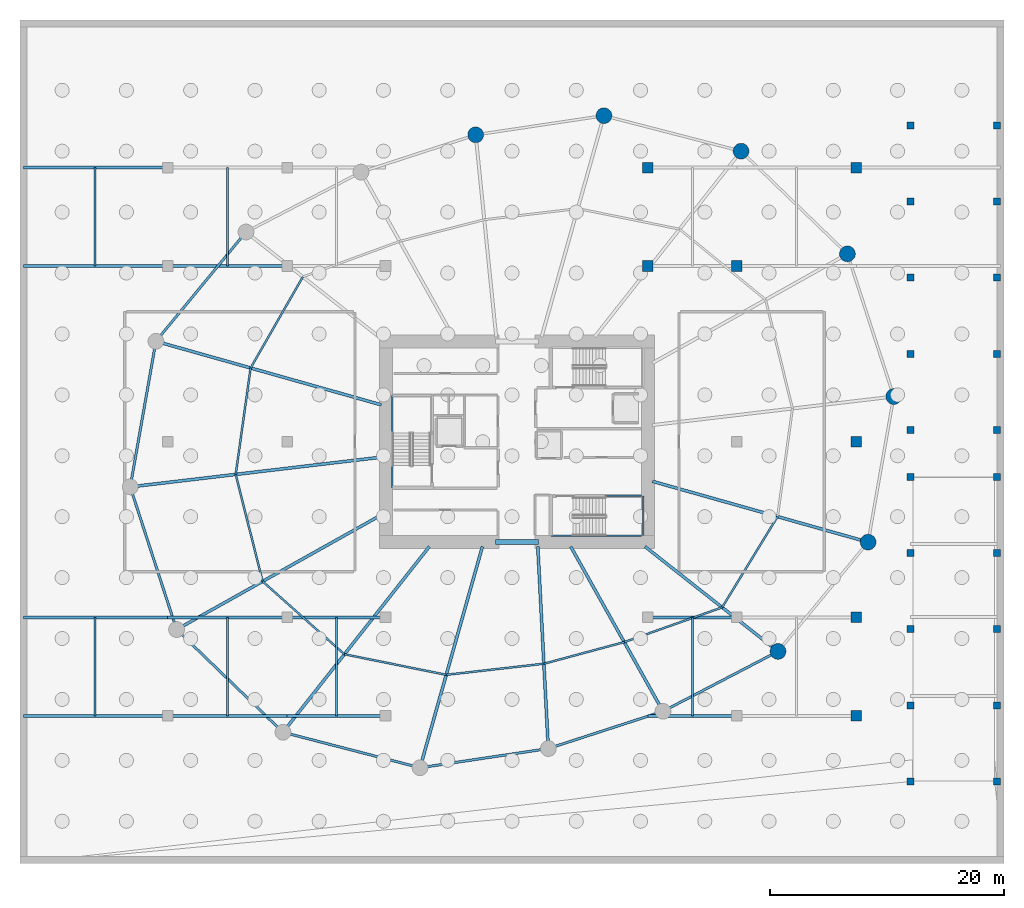
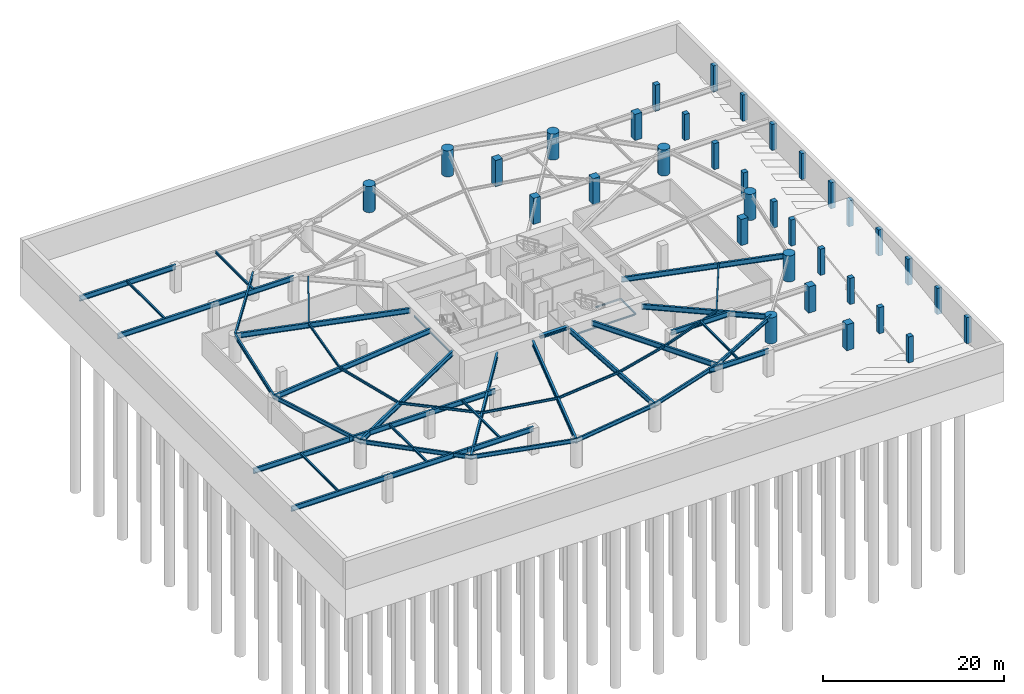
# One storey, part 5 of 12: 48 beams, 34 columns.
"""IFC4 building model written with IfcOpenShell, lengths in metres."""

from ifc_helpers import new_model, si_unit, direction, frame, origin, origin_2d, place, context, subcontext, project, spatial, rectangle, circle, i_section, extrude, material, material_profile, profile_set, type_object, element, save


model = new_model("IFC4")

# Units and contexts
model_context = context("Model", 3, precision=1e-05, world=origin(), true_north=direction((0.0, 1.0)))
body_context = subcontext(model_context, "Body", "Model", "MODEL_VIEW")
ifc_project = project(units=[si_unit("LENGTHUNIT", "METRE"), si_unit("AREAUNIT", "SQUARE_METRE"), si_unit("VOLUMEUNIT", "CUBIC_METRE"), si_unit("PLANEANGLEUNIT", "RADIAN"), si_unit("MASSUNIT", "GRAM", prefix="KILO")], contexts=[model_context])

# Site, building, storey
site_placement = place(None, origin())
site = spatial("IfcSite", under=ifc_project, at=site_placement, CompositionType="ELEMENT")
building_placement = place(site_placement, origin())
building = spatial("IfcBuilding", under=site, at=building_placement, Name="Kazma Halo Residences", CompositionType="ELEMENT")
storey_placement = place(building_placement, frame((0.0, 0.0, -7.60009765625)))
storey = spatial("IfcBuildingStorey", under=building, at=storey_placement, Name="B02", CompositionType="ELEMENT", Elevation=-7.60009765625)

# Columns
ifc_material_1 = material(Name="Concrete C60/75", Category="concrete")
ifc_material_profile_1 = material_profile(ifc_material_1, rectangle(XDim=0.89990234375, YDim=0.89990234375, at=origin_2d()), Name="RECT900x900")
ifc_profile_set_1 = profile_set([ifc_material_profile_1], Name="Concrete C60/75")
column_type_1 = type_object("IfcColumnType", Name="COL-BSMT-900", PredefinedType="COLUMN", material=ifc_profile_set_1)
for number, where, z_axis, x_axis, name in (
    (1, (59.60009765625, 57.0, 0.0), (0.0, 0.0, 1.0), (1.0, 0.0, 0.0), "B02 parking grid column 17"),
    (2, (59.60009765625, 65.39990234375, 0.0), (0.0, 0.0, 1.0), (1.0, 0.0, 0.0), "B02 parking grid column 18"),
    (3, (67.199951171875, 57.0, 0.0), (0.0, 0.0, 1.0), (1.0, 0.0, 0.0), "B02 parking grid column 22"),
    (4, (77.39990234375, 18.60009765625, 0.0), (0.0, 0.0, 1.0), (1.0, 0.0, 0.0), "B02 parking grid column 24"),
    (5, (77.39990234375, 27.0, 0.0), (0.0, 0.0, 1.0), (1.0, 0.0, 0.0), "B02 parking grid column 25"),
    (6, (77.39990234375, 42.0, 0.0), (0.0, 0.0, 1.0), (1.0, 0.0, 0.0), "B02 parking grid column 26"),
    (7, (77.39990234375, 65.39990234375, 0.0), (0.0, 0.0, 1.0), (1.0, 0.0, 0.0), "B02 parking grid column 28"),
):
    element("IfcColumn", number, at=place(storey_placement, frame(where, z_axis=z_axis, x_axis=x_axis)), inside=storey, type_object=column_type_1, Name=name, PredefinedType="COLUMN", context=body_context, shape_type="SweptSolid", body=[
        extrude(rectangle(XDim=0.89990234375, YDim=0.89990234375, at=origin_2d()), origin(), (0.0, 0.0, 1.0), 3.52001953125),
    ])
ifc_material_2 = material(Name="Concrete C80/95", Category="concrete")
ifc_material_profile_2 = material_profile(ifc_material_2, circle(Radius=0.675048828125, at=origin_2d()), Name="CIRC1350")
ifc_profile_set_2 = profile_set([ifc_material_profile_2], Name="Concrete C80/95")
column_type_2 = type_object("IfcColumnType", Name="COL-PERIM-1350", PredefinedType="COLUMN", material=ifc_profile_set_2)
for number, where, z_axis, x_axis, name in (
    (8, (76.6328125, 58.03515625, 0.0), (0.0, 0.0, 1.0), (1.0, 0.0, 0.0), "B02 perimeter ring column P01"),
    (9, (67.55322265625, 66.80322265625, 0.0), (0.0, 0.0, 1.0), (1.0, 0.0, 0.0), "B02 perimeter ring column P02"),
    (10, (55.84912109375, 69.831298828125, 0.0), (0.0, 0.0, 1.0), (1.0, 0.0, 0.0), "B02 perimeter ring column P03"),
    (11, (44.8994140625, 68.196044921875, 0.0), (0.0, 0.0, 1.0), (1.0, 0.0, 0.0), "B02 perimeter ring column P04"),
    (12, (70.708984375, 24.09765625, 0.0), (0.0, 0.0, 1.0), (1.0, 0.0, 0.0), "B02 perimeter ring column P14"),
    (13, (78.397705078125, 33.427001953125, 0.0), (0.0, 0.0, 1.0), (1.0, 0.0, 0.0), "B02 perimeter ring column P15"),
    (14, (80.589599609375, 45.857177734375, 0.0), (0.0, 0.0, 1.0), (1.0, 0.0, 0.0), "B02 perimeter ring column P16"),
):
    element("IfcColumn", number, at=place(storey_placement, frame(where, z_axis=z_axis, x_axis=x_axis)), inside=storey, type_object=column_type_2, Name=name, PredefinedType="COLUMN", context=body_context, shape_type="SweptSolid", body=[
        extrude(circle(Radius=0.675048828125, at=origin_2d()), origin(), (0.0, 0.0, 1.0), 3.52001953125),
    ])
ifc_material_profile_3 = material_profile(ifc_material_1, rectangle(XDim=0.60009765625, YDim=0.60009765625, at=origin_2d()), Name="RECT600x600")
ifc_profile_set_3 = profile_set([ifc_material_profile_3], Name="Concrete C60/75")
column_type_3 = type_object("IfcColumnType", Name="COL-POD-600", PredefinedType="COLUMN", material=ifc_profile_set_3)
for number, where, z_axis, x_axis, name in (
    (15, (82.0, 13.0, 0.0), (0.0, 0.0, 1.0), (1.0, 0.0, 0.0), "B02 vehicle ramp column 01"),
    (16, (82.0, 19.5, 0.0), (0.0, 0.0, 1.0), (1.0, 0.0, 0.0), "B02 vehicle ramp column 02"),
    (17, (82.0, 26.0, 0.0), (0.0, 0.0, 1.0), (1.0, 0.0, 0.0), "B02 vehicle ramp column 03"),
    (18, (82.0, 32.5, 0.0), (0.0, 0.0, 1.0), (1.0, 0.0, 0.0), "B02 vehicle ramp column 04"),
    (19, (82.0, 39.0, 0.0), (0.0, 0.0, 1.0), (1.0, 0.0, 0.0), "B02 vehicle ramp column 05"),
    (20, (82.0, 43.0, 0.0), (0.0, 0.0, 1.0), (1.0, 0.0, 0.0), "B02 vehicle ramp column 06"),
    (21, (82.0, 49.5, 0.0), (0.0, 0.0, 1.0), (1.0, 0.0, 0.0), "B02 vehicle ramp column 07"),
    (22, (82.0, 56.0, 0.0), (0.0, 0.0, 1.0), (1.0, 0.0, 0.0), "B02 vehicle ramp column 08"),
    (23, (82.0, 62.5, 0.0), (0.0, 0.0, 1.0), (1.0, 0.0, 0.0), "B02 vehicle ramp column 09"),
    (24, (82.0, 69.0, 0.0), (0.0, 0.0, 1.0), (1.0, 0.0, 0.0), "B02 vehicle ramp column 10"),
    (25, (89.39990234375, 13.0, 0.0), (0.0, 0.0, 1.0), (1.0, 0.0, 0.0), "B02 vehicle ramp column 11"),
    (26, (89.39990234375, 19.5, 0.0), (0.0, 0.0, 1.0), (1.0, 0.0, 0.0), "B02 vehicle ramp column 12"),
    (27, (89.39990234375, 26.0, 0.0), (0.0, 0.0, 1.0), (1.0, 0.0, 0.0), "B02 vehicle ramp column 13"),
    (28, (89.39990234375, 32.5, 0.0), (0.0, 0.0, 1.0), (1.0, 0.0, 0.0), "B02 vehicle ramp column 14"),
    (29, (89.39990234375, 39.0, 0.0), (0.0, 0.0, 1.0), (1.0, 0.0, 0.0), "B02 vehicle ramp column 15"),
    (30, (89.39990234375, 43.0, 0.0), (0.0, 0.0, 1.0), (1.0, 0.0, 0.0), "B02 vehicle ramp column 16"),
    (31, (89.39990234375, 49.5, 0.0), (0.0, 0.0, 1.0), (1.0, 0.0, 0.0), "B02 vehicle ramp column 17"),
    (32, (89.39990234375, 56.0, 0.0), (0.0, 0.0, 1.0), (1.0, 0.0, 0.0), "B02 vehicle ramp column 18"),
    (33, (89.39990234375, 62.5, 0.0), (0.0, 0.0, 1.0), (1.0, 0.0, 0.0), "B02 vehicle ramp column 19"),
    (34, (89.39990234375, 69.0, 0.0), (0.0, 0.0, 1.0), (1.0, 0.0, 0.0), "B02 vehicle ramp column 20"),
):
    element("IfcColumn", number, at=place(storey_placement, frame(where, z_axis=z_axis, x_axis=x_axis)), inside=storey, type_object=column_type_3, Name=name, PredefinedType="COLUMN", context=body_context, shape_type="SweptSolid", body=[
        extrude(rectangle(XDim=0.60009765625, YDim=0.60009765625, at=origin_2d()), origin(), (0.0, 0.0, 1.0), 3.52001953125),
    ])

# Beams
ifc_material_3 = material(Name="Steel S355", Category="steel")
ifc_material_profile_4 = material_profile(ifc_material_3, i_section(OverallWidth=0.25390625, OverallDepth=0.68408203125, WebThickness=0.012451171875, FlangeThickness=0.01904296875, FilletRadius=0.01806640625, at=origin_2d()), Name="W690x140")
ifc_profile_set_4 = profile_set([ifc_material_profile_4], Name="Steel S355")
beam_type_1 = type_object("IfcBeamType", Name="BM-BSMT-W690", PredefinedType="BEAM", material=ifc_profile_set_4)
beam_1_placement = place(storey_placement, frame((6.300048828125, 18.60009765625, 3.177978515625), z_axis=(1.0, 0.0, 0.0), x_axis=(0.0, 1.0, 0.0)))
element("IfcBeam", 35, at=beam_1_placement, inside=storey, type_object=beam_type_1, Name="B02 primary girder Y=18.6 bay 1", PredefinedType="BEAM", context=body_context, shape_type="SweptSolid", body=[
    extrude(i_section(OverallWidth=0.25390625, OverallDepth=0.68408203125, WebThickness=0.012451171875, FlangeThickness=0.01904296875, FilletRadius=0.01806640625, at=origin_2d()), origin(), (0.0, 0.0, 1.0), 12.300048828125),
])
beam_2_placement = place(storey_placement, frame((18.60009765625, 18.60009765625, 3.177978515625), z_axis=(1.0, 0.0, 0.0), x_axis=(0.0, 1.0, 0.0)))
element("IfcBeam", 36, at=beam_2_placement, inside=storey, type_object=beam_type_1, Name="B02 primary girder Y=18.6 bay 2", PredefinedType="BEAM", context=body_context, shape_type="SweptSolid", body=[
    extrude(i_section(OverallWidth=0.25390625, OverallDepth=0.68408203125, WebThickness=0.012451171875, FlangeThickness=0.01904296875, FilletRadius=0.01806640625, at=origin_2d()), origin(), (0.0, 0.0, 1.0), 10.199951171875),
])
beam_3_placement = place(storey_placement, frame((28.800048828125, 18.60009765625, 3.177978515625), z_axis=(1.0, 0.0, 0.0), x_axis=(0.0, 1.0, 0.0)))
element("IfcBeam", 37, at=beam_3_placement, inside=storey, type_object=beam_type_1, Name="B02 primary girder Y=18.6 bay 3", PredefinedType="BEAM", context=body_context, shape_type="SweptSolid", body=[
    extrude(i_section(OverallWidth=0.25390625, OverallDepth=0.68408203125, WebThickness=0.012451171875, FlangeThickness=0.01904296875, FilletRadius=0.01806640625, at=origin_2d()), origin(), (0.0, 0.0, 1.0), 8.39990234375),
])
beam_4_placement = place(storey_placement, frame((59.60009765625, 18.60009765625, 3.177978515625), z_axis=(1.0, 0.0, 0.0), x_axis=(0.0, 1.0, 0.0)))
element("IfcBeam", 38, at=beam_4_placement, inside=storey, type_object=beam_type_1, Name="B02 primary girder Y=18.6 bay 4", PredefinedType="BEAM", context=body_context, shape_type="SweptSolid", body=[
    extrude(i_section(OverallWidth=0.25390625, OverallDepth=0.68408203125, WebThickness=0.012451171875, FlangeThickness=0.01904296875, FilletRadius=0.01806640625, at=origin_2d()), origin(), (0.0, 0.0, 1.0), 7.599853515625),
])
beam_5_placement = place(storey_placement, frame((6.300048828125, 27.0, 3.177978515625), z_axis=(1.0, 0.0, 0.0), x_axis=(0.0, 1.0, 0.0)))
element("IfcBeam", 39, at=beam_5_placement, inside=storey, type_object=beam_type_1, Name="B02 primary girder Y=27.0 bay 1", PredefinedType="BEAM", context=body_context, shape_type="SweptSolid", body=[
    extrude(i_section(OverallWidth=0.25390625, OverallDepth=0.68408203125, WebThickness=0.012451171875, FlangeThickness=0.01904296875, FilletRadius=0.01806640625, at=origin_2d()), origin(), (0.0, 0.0, 1.0), 12.300048828125),
])
beam_6_placement = place(storey_placement, frame((18.60009765625, 27.0, 3.177978515625), z_axis=(1.0, 0.0, 0.0), x_axis=(0.0, 1.0, 0.0)))
element("IfcBeam", 40, at=beam_6_placement, inside=storey, type_object=beam_type_1, Name="B02 primary girder Y=27.0 bay 2", PredefinedType="BEAM", context=body_context, shape_type="SweptSolid", body=[
    extrude(i_section(OverallWidth=0.25390625, OverallDepth=0.68408203125, WebThickness=0.012451171875, FlangeThickness=0.01904296875, FilletRadius=0.01806640625, at=origin_2d()), origin(), (0.0, 0.0, 1.0), 10.199951171875),
])
beam_7_placement = place(storey_placement, frame((28.800048828125, 27.0, 3.177978515625), z_axis=(1.0, 0.0, 0.0), x_axis=(0.0, 1.0, 0.0)))
element("IfcBeam", 41, at=beam_7_placement, inside=storey, type_object=beam_type_1, Name="B02 primary girder Y=27.0 bay 3", PredefinedType="BEAM", context=body_context, shape_type="SweptSolid", body=[
    extrude(i_section(OverallWidth=0.25390625, OverallDepth=0.68408203125, WebThickness=0.012451171875, FlangeThickness=0.01904296875, FilletRadius=0.01806640625, at=origin_2d()), origin(), (0.0, 0.0, 1.0), 8.39990234375),
])
beam_8_placement = place(storey_placement, frame((59.60009765625, 27.0, 3.177978515625), z_axis=(1.0, 0.0, 0.0), x_axis=(0.0, 1.0, 0.0)))
element("IfcBeam", 42, at=beam_8_placement, inside=storey, type_object=beam_type_1, Name="B02 primary girder Y=27.0 bay 4", PredefinedType="BEAM", context=body_context, shape_type="SweptSolid", body=[
    extrude(i_section(OverallWidth=0.25390625, OverallDepth=0.68408203125, WebThickness=0.012451171875, FlangeThickness=0.01904296875, FilletRadius=0.01806640625, at=origin_2d()), origin(), (0.0, 0.0, 1.0), 7.599853515625),
])
beam_9_placement = place(storey_placement, frame((6.300048828125, 57.0, 3.177978515625), z_axis=(1.0, 0.0, 0.0), x_axis=(0.0, 1.0, 0.0)))
element("IfcBeam", 43, at=beam_9_placement, inside=storey, type_object=beam_type_1, Name="B02 primary girder Y=57.0 bay 1", PredefinedType="BEAM", context=body_context, shape_type="SweptSolid", body=[
    extrude(i_section(OverallWidth=0.25390625, OverallDepth=0.68408203125, WebThickness=0.012451171875, FlangeThickness=0.01904296875, FilletRadius=0.01806640625, at=origin_2d()), origin(), (0.0, 0.0, 1.0), 12.300048828125),
])
beam_10_placement = place(storey_placement, frame((18.60009765625, 57.0, 3.177978515625), z_axis=(1.0, 0.0, 0.0), x_axis=(0.0, 1.0, 0.0)))
element("IfcBeam", 44, at=beam_10_placement, inside=storey, type_object=beam_type_1, Name="B02 primary girder Y=57.0 bay 2", PredefinedType="BEAM", context=body_context, shape_type="SweptSolid", body=[
    extrude(i_section(OverallWidth=0.25390625, OverallDepth=0.68408203125, WebThickness=0.012451171875, FlangeThickness=0.01904296875, FilletRadius=0.01806640625, at=origin_2d()), origin(), (0.0, 0.0, 1.0), 10.199951171875),
])
beam_11_placement = place(storey_placement, frame((6.300048828125, 65.39990234375, 3.177978515625), z_axis=(1.0, 0.0, 0.0), x_axis=(0.0, 1.0, 0.0)))
element("IfcBeam", 45, at=beam_11_placement, inside=storey, type_object=beam_type_1, Name="B02 primary girder Y=65.4 bay 1", PredefinedType="BEAM", context=body_context, shape_type="SweptSolid", body=[
    extrude(i_section(OverallWidth=0.25390625, OverallDepth=0.68408203125, WebThickness=0.012451171875, FlangeThickness=0.01904296875, FilletRadius=0.01806640625, at=origin_2d()), origin(), (0.0, 0.0, 1.0), 12.300048828125),
])
beam_12_placement = place(storey_placement, frame((36.85009765625, 45.14453125, 3.177978515625), z_axis=(-0.962454909869, 0.271441607845, 0.0), x_axis=(-0.271441607845, -0.962454909869, 0.0)))
element("IfcBeam", 46, at=beam_12_placement, inside=storey, type_object=beam_type_1, Name="B02 radial floor beam 07", PredefinedType="BEAM", context=body_context, shape_type="SweptSolid", body=[
    extrude(i_section(OverallWidth=0.25390625, OverallDepth=0.68408203125, WebThickness=0.012451171875, FlangeThickness=0.01904296875, FilletRadius=0.01806640625, at=origin_2d()), origin(), (0.0, 0.0, 1.0), 19.99853515625),
])
beam_13_placement = place(storey_placement, frame((36.85009765625, 40.680419921875, 3.177978515625), z_axis=(-0.993068228459, -0.117539327996, 0.0), x_axis=(0.117539327996, -0.993068228459, 0.0)))
element("IfcBeam", 47, at=beam_13_placement, inside=storey, type_object=beam_type_1, Name="B02 radial floor beam 08", PredefinedType="BEAM", context=body_context, shape_type="SweptSolid", body=[
    extrude(i_section(OverallWidth=0.25390625, OverallDepth=0.68408203125, WebThickness=0.012451171875, FlangeThickness=0.01904296875, FilletRadius=0.01806640625, at=origin_2d()), origin(), (0.0, 0.0, 1.0), 21.58935546875),
])
beam_14_placement = place(storey_placement, frame((36.85009765625, 35.755615234375, 3.177978515625), z_axis=(-0.872498744017, -0.488616354299, 0.0), x_axis=(0.488616354299, -0.872498744017, 0.0)))
element("IfcBeam", 48, at=beam_14_placement, inside=storey, type_object=beam_type_1, Name="B02 radial floor beam 09", PredefinedType="BEAM", context=body_context, shape_type="SweptSolid", body=[
    extrude(i_section(OverallWidth=0.25390625, OverallDepth=0.68408203125, WebThickness=0.012451171875, FlangeThickness=0.01904296875, FilletRadius=0.01806640625, at=origin_2d()), origin(), (0.0, 0.0, 1.0), 20.037841796875),
])
beam_15_placement = place(storey_placement, frame((40.9443359375, 33.050048828125, 3.177978515625), z_axis=(-0.619089277374, -0.785320613915, 0.0), x_axis=(0.785320613915, -0.619089277374, 0.0)))
element("IfcBeam", 49, at=beam_15_placement, inside=storey, type_object=beam_type_1, Name="B02 radial floor beam 10", PredefinedType="BEAM", context=body_context, shape_type="SweptSolid", body=[
    extrude(i_section(OverallWidth=0.25390625, OverallDepth=0.68408203125, WebThickness=0.012451171875, FlangeThickness=0.01904296875, FilletRadius=0.01806640625, at=origin_2d()), origin(), (0.0, 0.0, 1.0), 20.18701171875),
])
beam_16_placement = place(storey_placement, frame((45.475830078125, 33.050048828125, 3.177978515625), z_axis=(-0.271433858007, -0.962457095526, 0.0), x_axis=(0.962457095526, -0.271433858007, 0.0)))
element("IfcBeam", 50, at=beam_16_placement, inside=storey, type_object=beam_type_1, Name="B02 radial floor beam 11", PredefinedType="BEAM", context=body_context, shape_type="SweptSolid", body=[
    extrude(i_section(OverallWidth=0.25390625, OverallDepth=0.68408203125, WebThickness=0.012451171875, FlangeThickness=0.01904296875, FilletRadius=0.01806640625, at=origin_2d()), origin(), (0.0, 0.0, 1.0), 19.617919921875),
])
beam_17_placement = place(storey_placement, frame((50.199951171875, 33.050048828125, 3.177978515625), z_axis=(0.052151471652, -0.998639186095, 0.0), x_axis=(0.998639186095, 0.052151471652, 0.0)))
element("IfcBeam", 51, at=beam_17_placement, inside=storey, type_object=beam_type_1, Name="B02 radial floor beam 12", PredefinedType="BEAM", context=body_context, shape_type="SweptSolid", body=[
    extrude(i_section(OverallWidth=0.25390625, OverallDepth=0.68408203125, WebThickness=0.012451171875, FlangeThickness=0.01904296875, FilletRadius=0.01806640625, at=origin_2d()), origin(), (0.0, 0.0, 1.0), 17.26953125),
])
beam_18_placement = place(storey_placement, frame((53.01220703125, 33.050048828125, 3.177978515625), z_axis=(0.488623198121, -0.872494911308, 0.0), x_axis=(0.872494911308, 0.488623198121, 0.0)))
element("IfcBeam", 52, at=beam_18_placement, inside=storey, type_object=beam_type_1, Name="B02 radial floor beam 13", PredefinedType="BEAM", context=body_context, shape_type="SweptSolid", body=[
    extrude(i_section(OverallWidth=0.25390625, OverallDepth=0.68408203125, WebThickness=0.012451171875, FlangeThickness=0.01904296875, FilletRadius=0.01806640625, at=origin_2d()), origin(), (0.0, 0.0, 1.0), 16.12109375),
])
beam_19_placement = place(storey_placement, frame((59.35302734375, 33.050048828125, 3.177978515625), z_axis=(0.785314311706, -0.619097271702, 0.0), x_axis=(0.619097271702, 0.785314311706, 0.0)))
element("IfcBeam", 53, at=beam_19_placement, inside=storey, type_object=beam_type_1, Name="B02 radial floor beam 14", PredefinedType="BEAM", context=body_context, shape_type="SweptSolid", body=[
    extrude(i_section(OverallWidth=0.25390625, OverallDepth=0.68408203125, WebThickness=0.012451171875, FlangeThickness=0.01904296875, FilletRadius=0.01806640625, at=origin_2d()), origin(), (0.0, 0.0, 1.0), 14.46044921875),
])
beam_20_placement = place(storey_placement, frame((60.0, 38.615478515625, 3.177978515625), z_axis=(0.962458146095, -0.271430132845, 0.0), x_axis=(0.271430132845, 0.962458146095, 0.0)))
element("IfcBeam", 54, at=beam_20_placement, inside=storey, type_object=beam_type_1, Name="B02 radial floor beam 15", PredefinedType="BEAM", context=body_context, shape_type="SweptSolid", body=[
    extrude(i_section(OverallWidth=0.25390625, OverallDepth=0.68408203125, WebThickness=0.012451171875, FlangeThickness=0.01904296875, FilletRadius=0.01806640625, at=origin_2d()), origin(), (0.0, 0.0, 1.0), 19.115234375),
])
ifc_material_profile_5 = material_profile(ifc_material_3, i_section(OverallWidth=0.408935546875, OverallDepth=0.425048828125, WebThickness=0.03271484375, FlangeThickness=0.052490234375, FilletRadius=0.02001953125, at=origin_2d()), Name="W360x421")
ifc_profile_set_5 = profile_set([ifc_material_profile_5], Name="Steel S355")
beam_type_2 = type_object("IfcBeamType", Name="BM-CORE-W360H", PredefinedType="BEAM", material=ifc_profile_set_5)
beam_21_placement = place(storey_placement, frame((46.60009765625, 33.449951171875, 3.3076171875), z_axis=(1.0, 0.0, 0.0), x_axis=(0.0, 1.0, 0.0)))
element("IfcBeam", 55, at=beam_21_placement, inside=storey, type_object=beam_type_2, Name="B02 core coupling beam S", PredefinedType="BEAM", context=body_context, shape_type="SweptSolid", body=[
    extrude(i_section(OverallWidth=0.408935546875, OverallDepth=0.425048828125, WebThickness=0.03271484375, FlangeThickness=0.052490234375, FilletRadius=0.02001953125, at=origin_2d()), origin(), (0.0, 0.0, 1.0), 3.64990234375),
])
ifc_material_profile_6 = material_profile(ifc_material_3, i_section(OverallWidth=0.1650390625, OverallDepth=0.31005859375, WebThickness=0.005859375, FlangeThickness=0.009765625, FilletRadius=0.011962890625, at=origin_2d()), Name="W310x38.7")
ifc_profile_set_6 = profile_set([ifc_material_profile_6], Name="Steel S355")
beam_type_3 = type_object("IfcBeamType", Name="BM-SEC-W310B", PredefinedType="JOIST", material=ifc_profile_set_6)
for number, where, z_axis, x_axis, name in (
    (56, (12.39990234375, 18.60009765625, 3.364990234375), (0.0, 1.0, 0.0), (-1.0, 0.0, 0.0), "B02 south secondary joist 1"),
    (57, (12.39990234375, 57.0, 3.364990234375), (0.0, 1.0, 0.0), (-1.0, 0.0, 0.0), "B02 north secondary joist 1"),
    (58, (23.699951171875, 18.60009765625, 3.364990234375), (0.0, 1.0, 0.0), (-1.0, 0.0, 0.0), "B02 south secondary joist 2"),
    (59, (23.699951171875, 57.0, 3.364990234375), (0.0, 1.0, 0.0), (-1.0, 0.0, 0.0), "B02 north secondary joist 2"),
    (60, (33.0, 18.60009765625, 3.364990234375), (0.0, 1.0, 0.0), (-1.0, 0.0, 0.0), "B02 south secondary joist 3"),
    (61, (63.39990234375, 18.60009765625, 3.364990234375), (0.0, 1.0, 0.0), (-1.0, 0.0, 0.0), "B02 south secondary joist 4"),
):
    element("IfcBeam", number, at=place(storey_placement, frame(where, z_axis=z_axis, x_axis=x_axis)), inside=storey, type_object=beam_type_3, Name=name, PredefinedType="JOIST", context=body_context, shape_type="SweptSolid", body=[
        extrude(i_section(OverallWidth=0.1650390625, OverallDepth=0.31005859375, WebThickness=0.005859375, FlangeThickness=0.009765625, FilletRadius=0.011962890625, at=origin_2d()), origin(), (0.0, 0.0, 1.0), 8.39990234375),
    ])
beam_22_placement = place(storey_placement, frame((30.145751953125, 56.0751953125, 3.364990234375), z_axis=(-0.497199727341, -0.867636116775, 0.0), x_axis=(0.867636116775, -0.497199727341, 0.0)))
element("IfcBeam", 62, at=beam_22_placement, inside=storey, type_object=beam_type_3, Name="B02 circumferential floor joist 06", PredefinedType="JOIST", context=body_context, shape_type="SweptSolid", body=[
    extrude(i_section(OverallWidth=0.1650390625, OverallDepth=0.31005859375, WebThickness=0.005859375, FlangeThickness=0.009765625, FilletRadius=0.011962890625, at=origin_2d()), origin(), (0.0, 0.0, 1.0), 8.96923828125),
])
beam_23_placement = place(storey_placement, frame((25.686279296875, 48.293212890625, 3.364990234375), z_axis=(-0.138581542975, -0.99035102663, 0.0), x_axis=(0.99035102663, -0.138581542975, 0.0)))
element("IfcBeam", 63, at=beam_23_placement, inside=storey, type_object=beam_type_3, Name="B02 circumferential floor joist 07", PredefinedType="JOIST", context=body_context, shape_type="SweptSolid", body=[
    extrude(i_section(OverallWidth=0.1650390625, OverallDepth=0.31005859375, WebThickness=0.005859375, FlangeThickness=0.009765625, FilletRadius=0.011962890625, at=origin_2d()), origin(), (0.0, 0.0, 1.0), 9.17333984375),
])
beam_24_placement = place(storey_placement, frame((24.4150390625, 39.20849609375, 3.364990234375), z_axis=(0.243737347729, -0.969841278417, 0.0), x_axis=(0.969841278417, 0.243737347729, 0.0)))
element("IfcBeam", 64, at=beam_24_placement, inside=storey, type_object=beam_type_3, Name="B02 circumferential floor joist 08", PredefinedType="JOIST", context=body_context, shape_type="SweptSolid", body=[
    extrude(i_section(OverallWidth=0.1650390625, OverallDepth=0.31005859375, WebThickness=0.005859375, FlangeThickness=0.009765625, FilletRadius=0.011962890625, at=origin_2d()), origin(), (0.0, 0.0, 1.0), 9.41552734375),
])
beam_25_placement = place(storey_placement, frame((26.7099609375, 30.076904296875, 3.364990234375), z_axis=(0.74675669848, -0.665097311133, 0.0), x_axis=(0.665097311133, 0.74675669848, 0.0)))
element("IfcBeam", 65, at=beam_25_placement, inside=storey, type_object=beam_type_3, Name="B02 circumferential floor joist 09", PredefinedType="JOIST", context=body_context, shape_type="SweptSolid", body=[
    extrude(i_section(OverallWidth=0.1650390625, OverallDepth=0.31005859375, WebThickness=0.005859375, FlangeThickness=0.009765625, FilletRadius=0.011962890625, at=origin_2d()), origin(), (0.0, 0.0, 1.0), 9.35498046875),
])
beam_26_placement = place(storey_placement, frame((33.69580078125, 23.85498046875, 3.364990234375), z_axis=(0.980192243317, -0.198048393432, 0.0), x_axis=(0.198048393432, 0.980192243317, 0.0)))
element("IfcBeam", 66, at=beam_26_placement, inside=storey, type_object=beam_type_3, Name="B02 circumferential floor joist 10", PredefinedType="JOIST", context=body_context, shape_type="SweptSolid", body=[
    extrude(i_section(OverallWidth=0.1650390625, OverallDepth=0.31005859375, WebThickness=0.005859375, FlangeThickness=0.009765625, FilletRadius=0.011962890625, at=origin_2d()), origin(), (0.0, 0.0, 1.0), 8.866943359375),
])
beam_27_placement = place(storey_placement, frame((42.38720703125, 22.098876953125, 3.364990234375), z_axis=(0.993587805197, 0.113063138842, 0.0), x_axis=(-0.113063138842, 0.993587805197, 0.0)))
element("IfcBeam", 67, at=beam_27_placement, inside=storey, type_object=beam_type_3, Name="B02 circumferential floor joist 11", PredefinedType="JOIST", context=body_context, shape_type="SweptSolid", body=[
    extrude(i_section(OverallWidth=0.1650390625, OverallDepth=0.31005859375, WebThickness=0.005859375, FlangeThickness=0.009765625, FilletRadius=0.011962890625, at=origin_2d()), origin(), (0.0, 0.0, 1.0), 8.388916015625),
])
beam_28_placement = place(storey_placement, frame((50.722412109375, 23.04736328125, 3.364990234375), z_axis=(0.965678128269, 0.259741703588, 0.0), x_axis=(-0.259741703588, 0.965678128269, 0.0)))
element("IfcBeam", 68, at=beam_28_placement, inside=storey, type_object=beam_type_3, Name="B02 circumferential floor joist 12", PredefinedType="JOIST", context=body_context, shape_type="SweptSolid", body=[
    extrude(i_section(OverallWidth=0.1650390625, OverallDepth=0.31005859375, WebThickness=0.005859375, FlangeThickness=0.009765625, FilletRadius=0.011962890625, at=origin_2d()), origin(), (0.0, 0.0, 1.0), 7.10205078125),
])
beam_29_placement = place(storey_placement, frame((57.580810546875, 24.89208984375, 3.364990234375), z_axis=(0.942441737122, 0.334370411567, 0.0), x_axis=(-0.334370411567, 0.942441737122, 0.0)))
element("IfcBeam", 69, at=beam_29_placement, inside=storey, type_object=beam_type_3, Name="B02 circumferential floor joist 13", PredefinedType="JOIST", context=body_context, shape_type="SweptSolid", body=[
    extrude(i_section(OverallWidth=0.1650390625, OverallDepth=0.31005859375, WebThickness=0.005859375, FlangeThickness=0.009765625, FilletRadius=0.011962890625, at=origin_2d()), origin(), (0.0, 0.0, 1.0), 8.869140625),
])
beam_30_placement = place(storey_placement, frame((65.939453125, 27.857666015625, 3.364990234375), z_axis=(0.521128000965, 0.853478533187, 0.0), x_axis=(-0.853478533187, 0.521128000965, 0.0)))
element("IfcBeam", 70, at=beam_30_placement, inside=storey, type_object=beam_type_3, Name="B02 circumferential floor joist 14", PredefinedType="JOIST", context=body_context, shape_type="SweptSolid", body=[
    extrude(i_section(OverallWidth=0.1650390625, OverallDepth=0.31005859375, WebThickness=0.005859375, FlangeThickness=0.009765625, FilletRadius=0.011962890625, at=origin_2d()), origin(), (0.0, 0.0, 1.0), 9.078857421875),
])
ifc_material_profile_7 = material_profile(ifc_material_3, i_section(OverallWidth=0.208984375, OverallDepth=0.532958984375, WebThickness=0.01025390625, FlangeThickness=0.015625, FilletRadius=0.01611328125, at=origin_2d()), Name="W530x92")
ifc_profile_set_7 = profile_set([ifc_material_profile_7], Name="Steel S355")
beam_type_4 = type_object("IfcBeamType", Name="BM-SPN-W530", PredefinedType="BEAM", material=ifc_profile_set_7)
beam_31_placement = place(storey_placement, frame((25.291015625, 59.90234375, 3.253662109375), z_axis=(-0.635989643733, -0.771697591718, 0.0), x_axis=(0.771697591718, -0.635989643733, 0.0)))
element("IfcBeam", 71, at=beam_31_placement, inside=storey, type_object=beam_type_4, Name="B02 perimeter ring beam 06", PredefinedType="BEAM", context=body_context, shape_type="SweptSolid", body=[
    extrude(i_section(OverallWidth=0.208984375, OverallDepth=0.532958984375, WebThickness=0.01025390625, FlangeThickness=0.015625, FilletRadius=0.01611328125, at=origin_2d()), origin(), (0.0, 0.0, 1.0), 12.08935546875),
])
beam_32_placement = place(storey_placement, frame((17.602294921875, 50.572998046875, 3.253662109375), z_axis=(-0.173657334149, -0.984806138434, 0.0), x_axis=(0.984806138434, -0.173657334149, 0.0)))
element("IfcBeam", 72, at=beam_32_placement, inside=storey, type_object=beam_type_4, Name="B02 perimeter ring beam 07", PredefinedType="BEAM", context=body_context, shape_type="SweptSolid", body=[
    extrude(i_section(OverallWidth=0.208984375, OverallDepth=0.532958984375, WebThickness=0.01025390625, FlangeThickness=0.015625, FilletRadius=0.01611328125, at=origin_2d()), origin(), (0.0, 0.0, 1.0), 12.6220703125),
])
beam_33_placement = place(storey_placement, frame((15.410400390625, 38.142822265625, 3.253662109375), z_axis=(0.3090114866, -0.951058305862, 0.0), x_axis=(0.951058305862, 0.3090114866, 0.0)))
element("IfcBeam", 73, at=beam_33_placement, inside=storey, type_object=beam_type_4, Name="B02 perimeter ring beam 08", PredefinedType="BEAM", context=body_context, shape_type="SweptSolid", body=[
    extrude(i_section(OverallWidth=0.208984375, OverallDepth=0.532958984375, WebThickness=0.01025390625, FlangeThickness=0.015625, FilletRadius=0.01611328125, at=origin_2d()), origin(), (0.0, 0.0, 1.0), 12.8046875),
])
beam_34_placement = place(storey_placement, frame((19.3671875, 25.96484375, 3.253662109375), z_axis=(0.719339467226, -0.694658715407, 0.0), x_axis=(0.694658715407, 0.719339467226, 0.0)))
element("IfcBeam", 74, at=beam_34_placement, inside=storey, type_object=beam_type_4, Name="B02 perimeter ring beam 09", PredefinedType="BEAM", context=body_context, shape_type="SweptSolid", body=[
    extrude(i_section(OverallWidth=0.208984375, OverallDepth=0.532958984375, WebThickness=0.01025390625, FlangeThickness=0.015625, FilletRadius=0.01611328125, at=origin_2d()), origin(), (0.0, 0.0, 1.0), 12.6220703125),
])
beam_35_placement = place(storey_placement, frame((28.44677734375, 17.19677734375, 3.253662109375), z_axis=(0.968123781445, -0.250472241578, 0.0), x_axis=(0.250472241578, 0.968123781445, 0.0)))
element("IfcBeam", 75, at=beam_35_placement, inside=storey, type_object=beam_type_4, Name="B02 perimeter ring beam 10", PredefinedType="BEAM", context=body_context, shape_type="SweptSolid", body=[
    extrude(i_section(OverallWidth=0.208984375, OverallDepth=0.532958984375, WebThickness=0.01025390625, FlangeThickness=0.015625, FilletRadius=0.01611328125, at=origin_2d()), origin(), (0.0, 0.0, 1.0), 12.08935546875),
])
beam_36_placement = place(storey_placement, frame((40.15087890625, 14.168701171875, 3.253662109375), z_axis=(0.989031581018, 0.14770420356, 0.0), x_axis=(-0.14770420356, 0.989031581018, 0.0)))
element("IfcBeam", 76, at=beam_36_placement, inside=storey, type_object=beam_type_4, Name="B02 perimeter ring beam 11", PredefinedType="BEAM", context=body_context, shape_type="SweptSolid", body=[
    extrude(i_section(OverallWidth=0.208984375, OverallDepth=0.532958984375, WebThickness=0.01025390625, FlangeThickness=0.015625, FilletRadius=0.01611328125, at=origin_2d()), origin(), (0.0, 0.0, 1.0), 11.071044921875),
])
beam_37_placement = place(storey_placement, frame((51.1005859375, 15.803955078125, 3.253662109375), z_axis=(0.951061083857, 0.309002936511, 0.0), x_axis=(-0.309002936511, 0.951061083857, 0.0)))
element("IfcBeam", 77, at=beam_37_placement, inside=storey, type_object=beam_type_4, Name="B02 perimeter ring beam 12", PredefinedType="BEAM", context=body_context, shape_type="SweptSolid", body=[
    extrude(i_section(OverallWidth=0.208984375, OverallDepth=0.532958984375, WebThickness=0.01025390625, FlangeThickness=0.015625, FilletRadius=0.01611328125, at=origin_2d()), origin(), (0.0, 0.0, 1.0), 10.29248046875),
])
beam_38_placement = place(storey_placement, frame((60.889404296875, 18.984375, 3.253662109375), z_axis=(0.886954171981, 0.461857442082, 0.0), x_axis=(-0.461857442082, 0.886954171981, 0.0)))
element("IfcBeam", 78, at=beam_38_placement, inside=storey, type_object=beam_type_4, Name="B02 perimeter ring beam 13", PredefinedType="BEAM", context=body_context, shape_type="SweptSolid", body=[
    extrude(i_section(OverallWidth=0.208984375, OverallDepth=0.532958984375, WebThickness=0.01025390625, FlangeThickness=0.015625, FilletRadius=0.01611328125, at=origin_2d()), origin(), (0.0, 0.0, 1.0), 11.071044921875),
])
ifc_material_profile_8 = material_profile(ifc_material_3, i_section(OverallWidth=0.133056640625, OverallDepth=0.20703125, WebThickness=0.005859375, FlangeThickness=0.00830078125, FilletRadius=0.010009765625, at=origin_2d()), Name="W200x26.6")
ifc_profile_set_8 = profile_set([ifc_material_profile_8], Name="Steel S355")
beam_type_5 = type_object("IfcBeamType", Name="BM-TRIM-W200", PredefinedType="BEAM", material=ifc_profile_set_8)
beam_39_placement = place(storey_placement, frame((37.780029296875, 38.06005859375, 1.59521484375), z_axis=(0.0, 1.0, 0.0), x_axis=(-1.0, 0.0, 0.0)))
element("IfcBeam", 79, at=beam_39_placement, inside=storey, type_object=beam_type_5, Name="B02 ST-01 landing west wall ledger", PredefinedType="BEAM", context=body_context, shape_type="SweptSolid", body=[
    extrude(i_section(OverallWidth=0.133056640625, OverallDepth=0.20703125, WebThickness=0.005859375, FlangeThickness=0.00830078125, FilletRadius=0.010009765625, at=origin_2d()), origin(), (0.0, 0.0, 1.0), 7.8798828125),
])
beam_40_placement = place(storey_placement, frame((51.31005859375, 33.97998046875, 1.59521484375), z_axis=(1.0, 0.0, 0.0), x_axis=(0.0, 1.0, 0.0)))
element("IfcBeam", 80, at=beam_40_placement, inside=storey, type_object=beam_type_5, Name="B02 ST-03 landing south wall ledger", PredefinedType="BEAM", context=body_context, shape_type="SweptSolid", body=[
    extrude(i_section(OverallWidth=0.133056640625, OverallDepth=0.20703125, WebThickness=0.005859375, FlangeThickness=0.00830078125, FilletRadius=0.010009765625, at=origin_2d()), origin(), (0.0, 0.0, 1.0), 7.760009765625),
])
beam_41_placement = place(storey_placement, frame((56.0, 37.3798828125, 1.59521484375), z_axis=(1.0, 0.0, 0.0), x_axis=(0.0, 1.0, 0.0)))
element("IfcBeam", 81, at=beam_41_placement, inside=storey, type_object=beam_type_5, Name="B02 ST-03 landing north wall ledger", PredefinedType="BEAM", context=body_context, shape_type="SweptSolid", body=[
    extrude(i_section(OverallWidth=0.133056640625, OverallDepth=0.20703125, WebThickness=0.005859375, FlangeThickness=0.00830078125, FilletRadius=0.010009765625, at=origin_2d()), origin(), (0.0, 0.0, 1.0), 3.070068359375),
])
beam_42_placement = place(storey_placement, frame((59.18994140625, 33.97998046875, 1.59521484375), z_axis=(0.0, 1.0, 0.0), x_axis=(-1.0, 0.0, 0.0)))
element("IfcBeam", 82, at=beam_42_placement, inside=storey, type_object=beam_type_5, Name="B02 ST-03 landing end wall ledger", PredefinedType="BEAM", context=body_context, shape_type="SweptSolid", body=[
    extrude(i_section(OverallWidth=0.133056640625, OverallDepth=0.20703125, WebThickness=0.005859375, FlangeThickness=0.00830078125, FilletRadius=0.010009765625, at=origin_2d()), origin(), (0.0, 0.0, 1.0), 3.39990234375),
])

save(model, "model.ifc")
